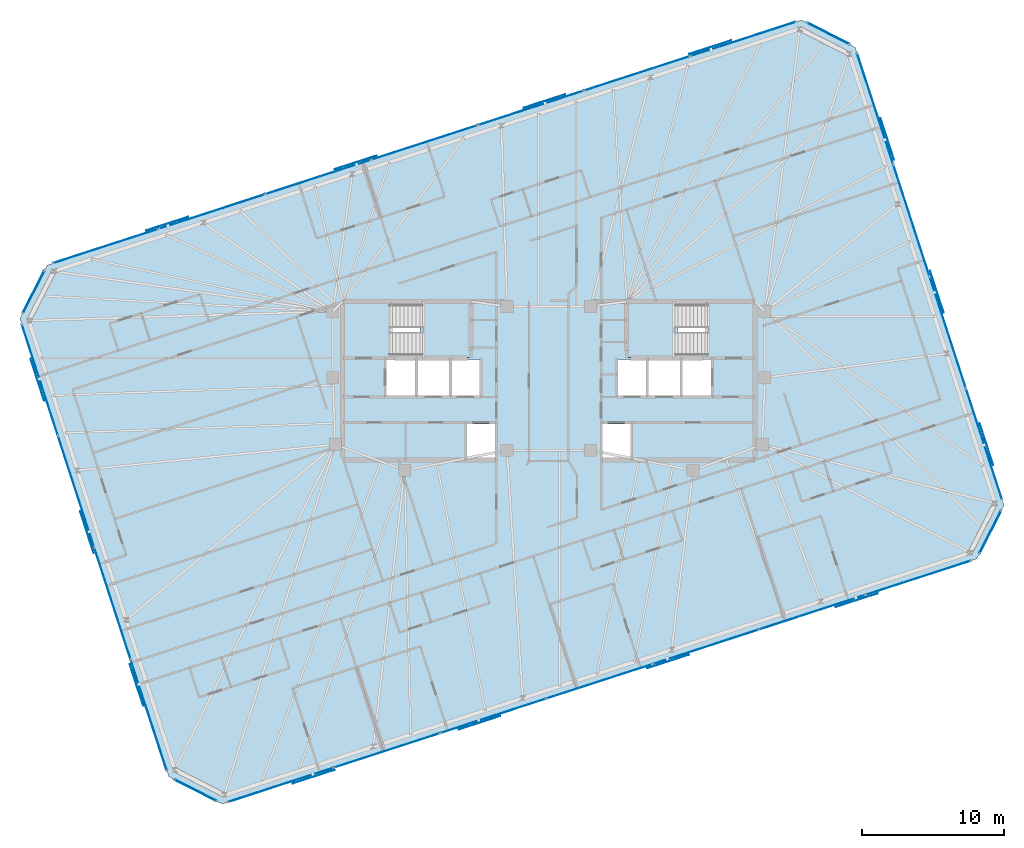
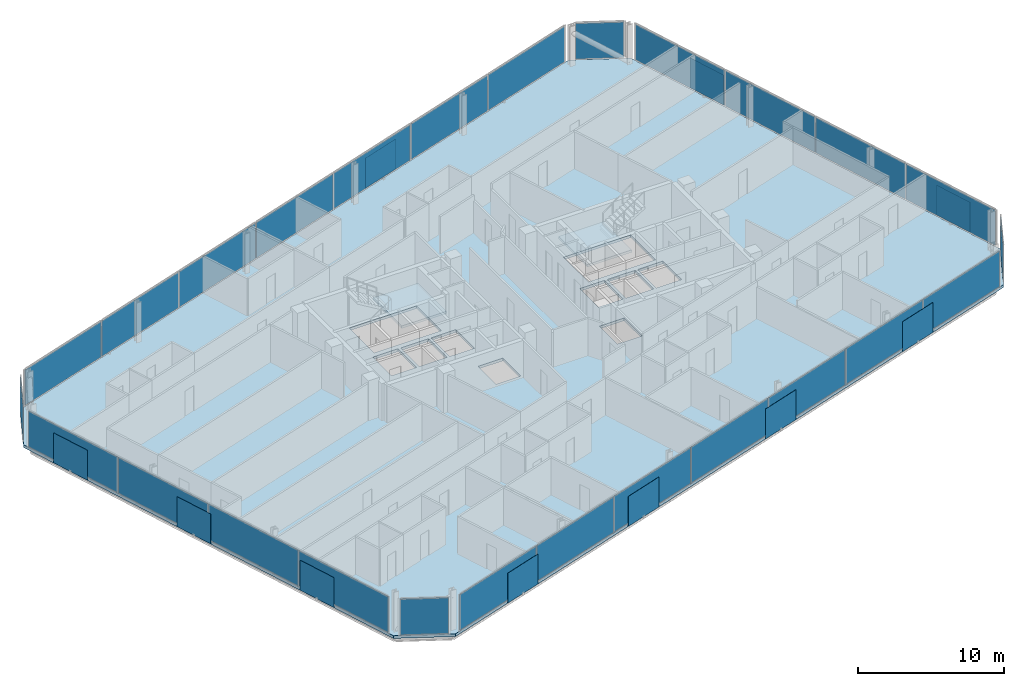
# One storey, part 12 of 19: 40 plates, 3 slabs, 10 elements without a shape of their own.
"""IFC4 building model written with IfcOpenShell, lengths in metres."""

import ifcopenshell
import ifcopenshell.guid

model = None  # the IFC model being written
_history = None  # IfcOwnerHistory: only IFC2X3 demands one
_inside = {}  # id of a spatial element -> (the spatial element, [elements in it])
_under = {}  # id of a project, library or spatial element -> (it, [spatial elements below it])
_declared = {}  # id of a project -> (the project, [libraries it declares])
_typed = {}  # id of a type object -> (the type object, [elements of that type])
_made_of = {}  # id of a material, layer set ... -> (it, [elements and type objects made of it])


def new_model(schema):
    """Start an empty IFC model of exactly this schema.

    Asked for "IFC4X3", IfcOpenShell would pick the latest addendum, in which some entities
    have other attributes; the version numbers below select the first issue.
    IFC2X3 requires an IfcOwnerHistory on every rooted entity: one is made here for all.
    """
    global model, _history
    if schema == "IFC4X3":
        model = ifcopenshell.file(schema_version=(4, 3, 0, 0))
    else:
        model = ifcopenshell.file(schema=schema)
    _inside.clear()
    _under.clear()
    _declared.clear()
    _typed.clear()
    _made_of.clear()
    _history = None
    if model.schema == "IFC2X3":
        org = make("IfcOrganization", Name="unknown")
        user = make(
            "IfcPersonAndOrganization",
            ThePerson=make("IfcPerson", FamilyName="unknown"),
            TheOrganization=org,
        )
        app = make(
            "IfcApplication",
            ApplicationDeveloper=org,
            Version="unknown",
            ApplicationFullName="unknown",
            ApplicationIdentifier="unknown",
        )
        _history = make(
            "IfcOwnerHistory",
            OwningUser=user,
            OwningApplication=app,
            ChangeAction="ADDED",
            CreationDate=0,
        )
    return model


def make(cls, **values):
    """One entity of the class cls with the attributes given. An attribute that is None is left unset."""
    return model.create_entity(
        cls, **{name: value for name, value in values.items() if value is not None}
    )


def rooted(cls, **values):
    """An entity with a GlobalId (a new one), such as an element, a storey or a relation."""
    return make(cls, GlobalId=ifcopenshell.guid.new(), OwnerHistory=_history, **values)


def si_unit(unit_type, name, prefix=None):
    """IfcSIUnit, for example si_unit("LENGTHUNIT", "METRE", prefix="MILLI")."""
    return make("IfcSIUnit", UnitType=unit_type, Prefix=prefix, Name=name)


def assignment(units):
    """IfcUnitAssignment: the units of a project."""
    return None if units is None else make("IfcUnitAssignment", Units=units)


def point(xyz):
    """IfcCartesianPoint."""
    return None if xyz is None else make("IfcCartesianPoint", Coordinates=xyz)


def direction(xyz):
    """IfcDirection."""
    return None if xyz is None else make("IfcDirection", DirectionRatios=xyz)


def frame(location, z_axis=None, x_axis=None):
    """IfcAxis2Placement3D, a coordinate frame: its origin and axes. An axis left out is left unset."""
    return make(
        "IfcAxis2Placement3D",
        Location=point(location),
        Axis=direction(z_axis),
        RefDirection=direction(x_axis),
    )


def frame_2d(location, x_axis=None):
    """IfcAxis2Placement2D, a coordinate frame in the plane: its origin and x axis."""
    return make(
        "IfcAxis2Placement2D", Location=point(location), RefDirection=direction(x_axis)
    )


def origin():
    """The frame at (0, 0, 0) with its axes left unset."""
    return frame((0.0, 0.0, 0.0))


def origin_2d():
    """The frame at (0, 0) in the plane with its x axis left unset."""
    return frame_2d((0.0, 0.0))


def place(relative_to, where):
    """IfcLocalPlacement: puts the frame where relative to a parent placement (None: the world)."""
    return make(
        "IfcLocalPlacement", PlacementRelTo=relative_to, RelativePlacement=where
    )


def context(
    kind, dimensions, precision=None, world=None, true_north=None, identifier=None
):
    """IfcGeometricRepresentationContext, for example the 3D "Model" context."""
    return make(
        "IfcGeometricRepresentationContext",
        ContextIdentifier=identifier,
        ContextType=kind,
        CoordinateSpaceDimension=dimensions,
        Precision=precision,
        WorldCoordinateSystem=world,
        TrueNorth=true_north,
    )


def subcontext(parent, identifier, kind, view, scale=None):
    """IfcGeometricRepresentationSubContext, for example "Body" below "Model"."""
    return make(
        "IfcGeometricRepresentationSubContext",
        ContextIdentifier=identifier,
        ContextType=kind,
        ParentContext=parent,
        TargetScale=scale,
        TargetView=view,
    )


def project(units=None, contexts=None):
    """IfcProject with its units and contexts."""
    return rooted(
        "IfcProject",
        Name="project",
        RepresentationContexts=contexts,
        UnitsInContext=assignment(units),
    )


def spatial(cls, under=None, at=None, **own):
    """A site, building, storey or space (cls), placed at a placement, below another one or the project."""
    s = rooted(cls, ObjectPlacement=at, **own)
    if under is not None:
        _under.setdefault(under.id(), (under, []))[1].append(s)
    return s


def polyline(points):
    """IfcPolyline through the points."""
    return make("IfcPolyline", Points=[point(p) for p in points])


def profile(cls, at=None, kind="AREA", **sizes):
    """A parametric profile (cls). Its sizes go by their IFC names, for example OverallWidth=200.0."""
    return make(cls, ProfileType=kind, Position=at, **sizes)


def rectangle(**sizes):
    """IfcRectangleProfileDef."""
    return profile("IfcRectangleProfileDef", **sizes)


def outline(outer, holes=None, kind="AREA"):
    """IfcArbitraryClosedProfileDef: a profile drawn as a closed curve; with holes, ...WithVoids."""
    if holes is None:
        return make("IfcArbitraryClosedProfileDef", ProfileType=kind, OuterCurve=outer)
    return make(
        "IfcArbitraryProfileDefWithVoids",
        ProfileType=kind,
        OuterCurve=outer,
        InnerCurves=holes,
    )


def extrude(swept, where, along, depth):
    """IfcExtrudedAreaSolid: the profile swept, set in the frame where, extruded along a direction by depth."""
    return make(
        "IfcExtrudedAreaSolid",
        SweptArea=swept,
        Position=where,
        ExtrudedDirection=direction(along),
        Depth=depth,
    )


def shape(context_of_items, identifier, shape_type, items):
    """IfcShapeRepresentation: the items that make up one representation, for example the "Body"."""
    return make(
        "IfcShapeRepresentation",
        ContextOfItems=context_of_items,
        RepresentationIdentifier=identifier,
        RepresentationType=shape_type,
        Items=items,
    )


def material(Name=None, Category=None):
    """IfcMaterial."""
    return make("IfcMaterial", Name=Name, Category=Category)


def layer(
    of_material, thickness, ventilated=None, Name=None, Category=None, Priority=None
):
    """IfcMaterialLayer: one layer of a wall or slab, of a material (None: an air gap)."""
    return make(
        "IfcMaterialLayer",
        Material=of_material,
        LayerThickness=thickness,
        IsVentilated=ventilated,
        Name=Name,
        Category=Category,
        Priority=Priority,
    )


def layer_set(layers, Name=None):
    """IfcMaterialLayerSet."""
    return make("IfcMaterialLayerSet", MaterialLayers=layers, LayerSetName=Name)


def made_of(thing, what):
    """Note that an element or type object is made of a material, layer set ...; save() writes the relation."""
    if what is not None:
        _made_of.setdefault(what.id(), (what, []))[1].append(thing)
    return thing


def type_object(cls, material=None, **own):
    """A type object (cls), such as IfcWallType, which elements share."""
    return made_of(rooted(cls, **own), material)


def element(
    cls,
    number,
    at=None,
    inside=None,
    cuts=None,
    type_object=None,
    material=None,
    context=None,
    identifier="Body",
    shape_type=None,
    held_by="IfcProductDefinitionShape",
    body=None,
    shapes=None,
    **own,
):
    """One element of the class cls, such as IfcWall. Its Tag is "e" and its number.

    at: its placement. inside: the storey or other place that contains it. cuts: it is an
    opening in that element (IfcRelVoidsElement). A single representation is given by context,
    identifier, shape_type and body (its items); several are given by shapes. held_by: the class
    of the entity that holds the representations. save() writes the other relations.
    """
    e = rooted(cls, Tag="e%d" % number, ObjectPlacement=at, **own)
    if body is not None:
        shapes = [shape(context, identifier, shape_type, body)]
    if shapes is not None:
        e.Representation = make(held_by, Representations=shapes)
    if inside is not None:
        _inside.setdefault(inside.id(), (inside, []))[1].append(e)
    if cuts is not None:
        rooted(
            "IfcRelVoidsElement", RelatingBuildingElement=cuts, RelatedOpeningElement=e
        )
    if type_object is not None:
        _typed.setdefault(type_object.id(), (type_object, []))[1].append(e)
    return made_of(e, material)


def aggregate(whole, parts):
    """IfcRelAggregates: a whole, such as a stair, and the parts it consists of."""
    return rooted("IfcRelAggregates", RelatingObject=whole, RelatedObjects=parts)


def save(model, path):
    """Write the relations noted so far, then the file.

    IfcRelAggregates (storeys below a building ...), IfcRelContainedInSpatialStructure (elements
    in a storey), IfcRelDefinesByType, IfcRelAssociatesMaterial and IfcRelDeclares: one each for
    every whole, place, type object, material and project.
    """
    for whole, parts in _under.values():
        aggregate(whole, parts)
    for where, things in _inside.values():
        rooted(
            "IfcRelContainedInSpatialStructure",
            RelatedElements=things,
            RelatingStructure=where,
        )
    for kind, things in _typed.values():
        rooted("IfcRelDefinesByType", RelatedObjects=things, RelatingType=kind)
    for what, things in _made_of.values():
        rooted("IfcRelAssociatesMaterial", RelatedObjects=things, RelatingMaterial=what)
    for by, libraries in _declared.values():
        rooted("IfcRelDeclares", RelatingContext=by, RelatedDefinitions=libraries)
    model.write(path)


model = new_model("IFC4")

# Units and contexts
model_context = context("Model", 3, precision=1e-05, world=origin(), true_north=direction((0.0, 1.0)))
body_context = subcontext(model_context, "Body", "Model", "MODEL_VIEW")
ifc_project = project(units=[si_unit("LENGTHUNIT", "METRE"), si_unit("AREAUNIT", "SQUARE_METRE"), si_unit("VOLUMEUNIT", "CUBIC_METRE"), si_unit("PLANEANGLEUNIT", "RADIAN"), si_unit("MASSUNIT", "GRAM", prefix="KILO")], contexts=[model_context])

# Site, building, storey
site_placement = place(None, origin())
site = spatial("IfcSite", under=ifc_project, at=site_placement, CompositionType="ELEMENT")
building_placement = place(site_placement, origin())
building = spatial("IfcBuilding", under=site, at=building_placement, Name="Menara Jurai Vektor", CompositionType="ELEMENT")
storey_placement = place(building_placement, frame((0.0, 0.0, 220.949951171875)))
storey = spatial("IfcBuildingStorey", under=building, at=storey_placement, Name="L58", CompositionType="ELEMENT", Elevation=220.949951171875)

# Curtain wall, plates
ifc_material_1 = material(Name="Anodised Pale Aluminium & Low-E Double Glazing", Category="aluminium")
curtain_wall_type = type_object("IfcCurtainWallType", Name="CW-BLK4", PredefinedType="NOTDEFINED", material=ifc_material_1)
curtain_wall_1_placement = place(storey_placement, origin())
curtain_wall_1 = element("IfcCurtainWall", 1, at=curtain_wall_1_placement, inside=storey, type_object=curtain_wall_type, Name="Unitised Curtain Wall L58 F01", PredefinedType="NOTDEFINED")
ifc_material_2 = material(Name="Low-E Solar-Control Double Glazed Unit", Category="glass")
ifc_layer_1 = layer(ifc_material_2, 0.030029296875)
ifc_layer_set_1 = layer_set([ifc_layer_1], Name="Low-E Solar-Control Double Glazed Unit")
plate_type_1 = type_object("IfcPlateType", Name="CW-BLK4-PNL", PredefinedType="CURTAIN_PANEL", material=ifc_layer_set_1)
plate_1_placement = place(storey_placement, frame((-18.916259765625, -28.53076171875, 0.080078125), z_axis=(0.0, 0.0, 1.0), x_axis=(0.951056402641, 0.309017344167, 0.0)))
plate_1 = element("IfcPlate", 2, at=plate_1_placement, type_object=plate_type_1, Name="CW-04 panel 1.1", PredefinedType="CURTAIN_PANEL", context=body_context, shape_type="SweptSolid", body=[
    extrude(rectangle(XDim=7.771484375, YDim=0.030029296875, at=origin_2d()), origin(), (0.0, 0.0, 1.0), 2.965087890625),
])
plate_2_placement = place(storey_placement, frame((-11.429931640625, -26.098388671875, 0.080078125), z_axis=(0.0, 0.0, 1.0), x_axis=(0.951056402641, 0.309017344167, 0.0)))
plate_2 = element("IfcPlate", 3, at=plate_2_placement, type_object=plate_type_1, Name="CW-04 panel 2.1", PredefinedType="CURTAIN_PANEL", context=body_context, shape_type="SweptSolid", body=[
    extrude(rectangle(XDim=7.8115234375, YDim=0.030029296875, at=origin_2d()), origin(), (0.0, 0.0, 1.0), 2.965087890625),
])
plate_3_placement = place(storey_placement, frame((-3.9248046875, -23.65966796875, 0.080078125), z_axis=(0.0, 0.0, 1.0), x_axis=(0.951056402641, 0.309017344167, 0.0)))
plate_3 = element("IfcPlate", 4, at=plate_3_placement, type_object=plate_type_1, Name="CW-04 panel 3.1", PredefinedType="CURTAIN_PANEL", context=body_context, shape_type="SweptSolid", body=[
    extrude(rectangle(XDim=7.8115234375, YDim=0.030029296875, at=origin_2d()), origin(), (0.0, 0.0, 1.0), 2.965087890625),
])
plate_4_placement = place(storey_placement, frame((3.580322265625, -21.22119140625, 0.080078125), z_axis=(0.0, 0.0, 1.0), x_axis=(0.951056402641, 0.309017344167, 0.0)))
plate_4 = element("IfcPlate", 5, at=plate_4_placement, type_object=plate_type_1, Name="CW-04 panel 4.1", PredefinedType="CURTAIN_PANEL", context=body_context, shape_type="SweptSolid", body=[
    extrude(rectangle(XDim=7.8115234375, YDim=0.030029296875, at=origin_2d()), origin(), (0.0, 0.0, 1.0), 2.965087890625),
])
plate_5_placement = place(storey_placement, frame((11.08544921875, -18.782470703125, 0.080078125), z_axis=(0.0, 0.0, 1.0), x_axis=(0.951056402641, 0.309017344167, 0.0)))
plate_5 = element("IfcPlate", 6, at=plate_5_placement, type_object=plate_type_1, Name="CW-04 panel 5.1", PredefinedType="CURTAIN_PANEL", context=body_context, shape_type="SweptSolid", body=[
    extrude(rectangle(XDim=7.8115234375, YDim=0.030029296875, at=origin_2d()), origin(), (0.0, 0.0, 1.0), 2.965087890625),
])
plate_6_placement = place(storey_placement, frame((18.5908203125, -16.343994140625, 0.080078125), z_axis=(0.0, 0.0, 1.0), x_axis=(0.951056402641, 0.309017344167, 0.0)))
plate_6 = element("IfcPlate", 7, at=plate_6_placement, type_object=plate_type_1, Name="CW-04 panel 6.1", PredefinedType="CURTAIN_PANEL", context=body_context, shape_type="SweptSolid", body=[
    extrude(rectangle(XDim=7.8115234375, YDim=0.030029296875, at=origin_2d()), origin(), (0.0, 0.0, 1.0), 2.965087890625),
])
plate_7_placement = place(storey_placement, frame((26.076904296875, -13.91162109375, 0.080078125), z_axis=(0.0, 0.0, 1.0), x_axis=(0.951056402641, 0.309017344167, 0.0)))
plate_7 = element("IfcPlate", 8, at=plate_7_placement, type_object=plate_type_1, Name="CW-04 panel 7.1", PredefinedType="CURTAIN_PANEL", context=body_context, shape_type="SweptSolid", body=[
    extrude(rectangle(XDim=7.771484375, YDim=0.030029296875, at=origin_2d()), origin(), (0.0, 0.0, 1.0), 2.965087890625),
])
aggregate(curtain_wall_1, [plate_1, plate_2, plate_3, plate_4, plate_5, plate_6, plate_7])

curtain_wall_2_placement = place(storey_placement, origin())
curtain_wall_2 = element("IfcCurtainWall", 9, at=curtain_wall_2_placement, inside=storey, type_object=curtain_wall_type, Name="Unitised Curtain Wall L58 F03", PredefinedType="NOTDEFINED")
plate_8_placement = place(storey_placement, frame((30.728515625, -4.456298828125, 0.080078125), z_axis=(0.0, 0.0, 1.0), x_axis=(-0.309016481464, 0.95105668295, 0.0)))
plate_8 = element("IfcPlate", 10, at=plate_8_placement, type_object=plate_type_1, Name="CW-04 panel 1.1", PredefinedType="CURTAIN_PANEL", context=body_context, shape_type="SweptSolid", body=[
    extrude(rectangle(XDim=8.18994140625, YDim=0.030029296875, at=origin_2d()), origin(), (0.0, 0.0, 1.0), 2.965087890625),
])
plate_9_placement = place(storey_placement, frame((28.166748046875, 3.427978515625, 0.080078125), z_axis=(0.0, 0.0, 1.0), x_axis=(-0.309016481464, 0.95105668295, 0.0)))
plate_9 = element("IfcPlate", 11, at=plate_9_placement, type_object=plate_type_1, Name="CW-04 panel 2.1", PredefinedType="CURTAIN_PANEL", context=body_context, shape_type="SweptSolid", body=[
    extrude(rectangle(XDim=8.22998046875, YDim=0.030029296875, at=origin_2d()), origin(), (0.0, 0.0, 1.0), 2.965087890625),
])
plate_10_placement = place(storey_placement, frame((25.598876953125, 11.331298828125, 0.080078125), z_axis=(0.0, 0.0, 1.0), x_axis=(-0.309016481464, 0.95105668295, 0.0)))
plate_10 = element("IfcPlate", 12, at=plate_10_placement, type_object=plate_type_1, Name="CW-04 panel 3.1", PredefinedType="CURTAIN_PANEL", context=body_context, shape_type="SweptSolid", body=[
    extrude(rectangle(XDim=8.22998046875, YDim=0.030029296875, at=origin_2d()), origin(), (0.0, 0.0, 1.0), 2.965087890625),
])
plate_11_placement = place(storey_placement, frame((23.037109375, 19.21533203125, 0.080078125), z_axis=(0.0, 0.0, 1.0), x_axis=(-0.309016481464, 0.95105668295, 0.0)))
plate_11 = element("IfcPlate", 13, at=plate_11_placement, type_object=plate_type_1, Name="CW-04 panel 4.1", PredefinedType="CURTAIN_PANEL", context=body_context, shape_type="SweptSolid", body=[
    extrude(rectangle(XDim=8.18994140625, YDim=0.030029296875, at=origin_2d()), origin(), (0.0, 0.0, 1.0), 2.965087890625),
])
aggregate(curtain_wall_2, [plate_8, plate_9, plate_10, plate_11])

curtain_wall_3_placement = place(storey_placement, origin())
curtain_wall_3 = element("IfcCurtainWall", 14, at=curtain_wall_3_placement, inside=storey, type_object=curtain_wall_type, Name="Unitised Curtain Wall L58 F05", PredefinedType="NOTDEFINED")
plate_12_placement = place(storey_placement, frame((13.716064453125, 24.130615234375, 0.080078125), z_axis=(0.0, 0.0, 1.0), x_axis=(-0.951056402641, -0.309017344167, 0.0)))
plate_12 = element("IfcPlate", 15, at=plate_12_placement, type_object=plate_type_1, Name="CW-04 panel 1.1", PredefinedType="CURTAIN_PANEL", context=body_context, shape_type="SweptSolid", body=[
    extrude(rectangle(XDim=7.771484375, YDim=0.030029296875, at=origin_2d()), origin(), (0.0, 0.0, 1.0), 2.965087890625),
])
plate_13_placement = place(storey_placement, frame((6.22998046875, 21.6982421875, 0.080078125), z_axis=(0.0, 0.0, 1.0), x_axis=(-0.951056402641, -0.309017344167, 0.0)))
plate_13 = element("IfcPlate", 16, at=plate_13_placement, type_object=plate_type_1, Name="CW-04 panel 2.1", PredefinedType="CURTAIN_PANEL", context=body_context, shape_type="SweptSolid", body=[
    extrude(rectangle(XDim=7.8115234375, YDim=0.030029296875, at=origin_2d()), origin(), (0.0, 0.0, 1.0), 2.965087890625),
])
plate_14_placement = place(storey_placement, frame((-1.275146484375, 19.259765625, 0.080078125), z_axis=(0.0, 0.0, 1.0), x_axis=(-0.951056402641, -0.309017344167, 0.0)))
plate_14 = element("IfcPlate", 17, at=plate_14_placement, type_object=plate_type_1, Name="CW-04 panel 3.1", PredefinedType="CURTAIN_PANEL", context=body_context, shape_type="SweptSolid", body=[
    extrude(rectangle(XDim=7.8115234375, YDim=0.030029296875, at=origin_2d()), origin(), (0.0, 0.0, 1.0), 2.965087890625),
])
plate_15_placement = place(storey_placement, frame((-8.7802734375, 16.821044921875, 0.080078125), z_axis=(0.0, 0.0, 1.0), x_axis=(-0.951056402641, -0.309017344167, 0.0)))
plate_15 = element("IfcPlate", 18, at=plate_15_placement, type_object=plate_type_1, Name="CW-04 panel 4.1", PredefinedType="CURTAIN_PANEL", context=body_context, shape_type="SweptSolid", body=[
    extrude(rectangle(XDim=7.8115234375, YDim=0.030029296875, at=origin_2d()), origin(), (0.0, 0.0, 1.0), 2.965087890625),
])
plate_16_placement = place(storey_placement, frame((-16.28564453125, 14.382568359375, 0.080078125), z_axis=(0.0, 0.0, 1.0), x_axis=(-0.951056402641, -0.309017344167, 0.0)))
plate_16 = element("IfcPlate", 19, at=plate_16_placement, type_object=plate_type_1, Name="CW-04 panel 5.1", PredefinedType="CURTAIN_PANEL", context=body_context, shape_type="SweptSolid", body=[
    extrude(rectangle(XDim=7.8115234375, YDim=0.030029296875, at=origin_2d()), origin(), (0.0, 0.0, 1.0), 2.965087890625),
])
plate_17_placement = place(storey_placement, frame((-23.790771484375, 11.944091796875, 0.080078125), z_axis=(0.0, 0.0, 1.0), x_axis=(-0.951056402641, -0.309017344167, 0.0)))
plate_17 = element("IfcPlate", 20, at=plate_17_placement, type_object=plate_type_1, Name="CW-04 panel 6.1", PredefinedType="CURTAIN_PANEL", context=body_context, shape_type="SweptSolid", body=[
    extrude(rectangle(XDim=7.8115234375, YDim=0.030029296875, at=origin_2d()), origin(), (0.0, 0.0, 1.0), 2.965087890625),
])
plate_18_placement = place(storey_placement, frame((-31.27685546875, 9.511474609375, 0.080078125), z_axis=(0.0, 0.0, 1.0), x_axis=(-0.951056402641, -0.309017344167, 0.0)))
plate_18 = element("IfcPlate", 21, at=plate_18_placement, type_object=plate_type_1, Name="CW-04 panel 7.1", PredefinedType="CURTAIN_PANEL", context=body_context, shape_type="SweptSolid", body=[
    extrude(rectangle(XDim=7.771484375, YDim=0.030029296875, at=origin_2d()), origin(), (0.0, 0.0, 1.0), 2.965087890625),
])
aggregate(curtain_wall_3, [plate_12, plate_13, plate_14, plate_15, plate_16, plate_17, plate_18])

curtain_wall_4_placement = place(storey_placement, origin())
curtain_wall_4 = element("IfcCurtainWall", 22, at=curtain_wall_4_placement, inside=storey, type_object=curtain_wall_type, Name="Unitised Curtain Wall L58 F07", PredefinedType="NOTDEFINED")
plate_19_placement = place(storey_placement, frame((-35.928466796875, 0.056396484375, 0.080078125), z_axis=(0.0, 0.0, 1.0), x_axis=(0.309016481464, -0.95105668295, 0.0)))
plate_19 = element("IfcPlate", 23, at=plate_19_placement, type_object=plate_type_1, Name="CW-04 panel 1.1", PredefinedType="CURTAIN_PANEL", context=body_context, shape_type="SweptSolid", body=[
    extrude(rectangle(XDim=8.18994140625, YDim=0.030029296875, at=origin_2d()), origin(), (0.0, 0.0, 1.0), 2.965087890625),
])
plate_20_placement = place(storey_placement, frame((-33.36669921875, -7.827880859375, 0.080078125), z_axis=(0.0, 0.0, 1.0), x_axis=(0.309016481464, -0.95105668295, 0.0)))
plate_20 = element("IfcPlate", 24, at=plate_20_placement, type_object=plate_type_1, Name="CW-04 panel 2.1", PredefinedType="CURTAIN_PANEL", context=body_context, shape_type="SweptSolid", body=[
    extrude(rectangle(XDim=8.22998046875, YDim=0.030029296875, at=origin_2d()), origin(), (0.0, 0.0, 1.0), 2.965087890625),
])
plate_21_placement = place(storey_placement, frame((-30.798828125, -15.731201171875, 0.080078125), z_axis=(0.0, 0.0, 1.0), x_axis=(0.309016481464, -0.95105668295, 0.0)))
plate_21 = element("IfcPlate", 25, at=plate_21_placement, type_object=plate_type_1, Name="CW-04 panel 3.1", PredefinedType="CURTAIN_PANEL", context=body_context, shape_type="SweptSolid", body=[
    extrude(rectangle(XDim=8.22998046875, YDim=0.030029296875, at=origin_2d()), origin(), (0.0, 0.0, 1.0), 2.965087890625),
])
plate_22_placement = place(storey_placement, frame((-28.237060546875, -23.615478515625, 0.080078125), z_axis=(0.0, 0.0, 1.0), x_axis=(0.309016481464, -0.95105668295, 0.0)))
plate_22 = element("IfcPlate", 26, at=plate_22_placement, type_object=plate_type_1, Name="CW-04 panel 4.1", PredefinedType="CURTAIN_PANEL", context=body_context, shape_type="SweptSolid", body=[
    extrude(rectangle(XDim=8.18994140625, YDim=0.030029296875, at=origin_2d()), origin(), (0.0, 0.0, 1.0), 2.965087890625),
])
aggregate(curtain_wall_4, [plate_19, plate_20, plate_21, plate_22])

# Curtain wall, plate
curtain_wall_5_placement = place(storey_placement, origin())
curtain_wall_5 = element("IfcCurtainWall", 27, at=curtain_wall_5_placement, inside=storey, type_object=curtain_wall_type, Name="Unitised Curtain Wall L58 F02", PredefinedType="NOTDEFINED")
ifc_material_3 = material(Name="Insulated Pale Aluminium Spandrel Panel", Category="aluminium")
ifc_layer_2 = layer(ifc_material_3, 0.06005859375)
ifc_layer_set_2 = layer_set([ifc_layer_2], Name="Insulated Pale Aluminium Spandrel Panel")
plate_type_2 = type_object("IfcPlateType", Name="CW-PNL-SP", PredefinedType="CURTAIN_PANEL", material=ifc_layer_set_2)
plate_23_placement = place(storey_placement, frame((31.1728515625, -10.678466796875, 0.080078125), z_axis=(0.0, 0.0, 1.0), x_axis=(0.453988579828, 0.89100750243, 0.0)))
plate_23 = element("IfcPlate", 28, at=plate_23_placement, type_object=plate_type_2, Name="CW-04 panel 1.1", PredefinedType="CURTAIN_PANEL", context=body_context, shape_type="SweptSolid", body=[
    extrude(rectangle(XDim=3.32275390625, YDim=0.06005859375, at=origin_2d()), origin(), (0.0, 0.0, 1.0), 2.965087890625),
])
aggregate(curtain_wall_5, [plate_23])

curtain_wall_6_placement = place(storey_placement, origin())
curtain_wall_6 = element("IfcCurtainWall", 29, at=curtain_wall_6_placement, inside=storey, type_object=curtain_wall_type, Name="Unitised Curtain Wall L58 F04", PredefinedType="NOTDEFINED")
plate_24_placement = place(storey_placement, frame((19.7392578125, 24.510498046875, 0.080078125), z_axis=(0.0, 0.0, 1.0), x_axis=(-0.89100750243, 0.453988579828, 0.0)))
plate_24 = element("IfcPlate", 30, at=plate_24_placement, type_object=plate_type_2, Name="CW-04 panel 1.1", PredefinedType="CURTAIN_PANEL", context=body_context, shape_type="SweptSolid", body=[
    extrude(rectangle(XDim=3.32275390625, YDim=0.06005859375, at=origin_2d()), origin(), (0.0, 0.0, 1.0), 2.965087890625),
])
aggregate(curtain_wall_6, [plate_24])

curtain_wall_7_placement = place(storey_placement, origin())
curtain_wall_7 = element("IfcCurtainWall", 31, at=curtain_wall_7_placement, inside=storey, type_object=curtain_wall_type, Name="Unitised Curtain Wall L58 F06", PredefinedType="NOTDEFINED")
plate_25_placement = place(storey_placement, frame((-36.373046875, 6.278564453125, 0.080078125), z_axis=(0.0, 0.0, 1.0), x_axis=(-0.453988579828, -0.89100750243, 0.0)))
plate_25 = element("IfcPlate", 32, at=plate_25_placement, type_object=plate_type_2, Name="CW-04 panel 1.1", PredefinedType="CURTAIN_PANEL", context=body_context, shape_type="SweptSolid", body=[
    extrude(rectangle(XDim=3.32275390625, YDim=0.06005859375, at=origin_2d()), origin(), (0.0, 0.0, 1.0), 2.965087890625),
])
aggregate(curtain_wall_7, [plate_25])

curtain_wall_8_placement = place(storey_placement, origin())
curtain_wall_8 = element("IfcCurtainWall", 33, at=curtain_wall_8_placement, inside=storey, type_object=curtain_wall_type, Name="Unitised Curtain Wall L58 F08", PredefinedType="NOTDEFINED")
plate_26_placement = place(storey_placement, frame((-24.939453125, -28.91064453125, 0.080078125), z_axis=(0.0, 0.0, 1.0), x_axis=(0.89100750243, -0.453988579828, 0.0)))
plate_26 = element("IfcPlate", 34, at=plate_26_placement, type_object=plate_type_2, Name="CW-04 panel 1.1", PredefinedType="CURTAIN_PANEL", context=body_context, shape_type="SweptSolid", body=[
    extrude(rectangle(XDim=3.32275390625, YDim=0.06005859375, at=origin_2d()), origin(), (0.0, 0.0, 1.0), 2.965087890625),
])
aggregate(curtain_wall_8, [plate_26])

# Plates
ifc_material_4 = material(Name="Anodised Pale Aluminium Perforated Screen", Category="aluminium")
ifc_layer_3 = layer(ifc_material_4, 0.02197265625)
ifc_layer_set_3 = layer_set([ifc_layer_3], Name="Anodised Pale Aluminium Perforated Screen")
plate_type_3 = type_object("IfcPlateType", Name="ENV-PLT-SCREEN-HI", PredefinedType="USERDEFINED", material=ifc_layer_set_3)
for number, where, z_axis, x_axis, name in (
    (35, (-16.608642578125, -27.94921875, -0.050048828125), (0.0, 0.0, 1.0), (0.951056516295, 0.309016994375, 0.0), "Perforated Pale-Metal Solar Screen L58-S01"),
    (36, (-4.8916015625, -24.14208984375, -0.050048828125), (0.0, 0.0, 1.0), (0.951056516295, 0.309016994375, 0.0), "Perforated Pale-Metal Solar Screen L58-S02"),
    (37, (8.423095703125, -19.81591796875, -0.050048828125), (0.0, 0.0, 1.0), (0.951056516295, 0.309016994375, 0.0), "Perforated Pale-Metal Solar Screen L58-S03"),
    (38, (21.73779296875, -15.48974609375, -0.050048828125), (0.0, 0.0, 1.0), (0.951056516295, 0.309016994375, 0.0), "Perforated Pale-Metal Solar Screen L58-S04"),
    (39, (30.90478515625, -4.4814453125, -0.050048828125), (0.0, 0.0, 1.0), (-0.309016994375, 0.951056516295, 0.0), "Perforated Pale-Metal Solar Screen L58-S05"),
    (40, (27.402587890625, 6.297119140625, -0.050048828125), (0.0, 0.0, 1.0), (-0.309016994375, 0.951056516295, 0.0), "Perforated Pale-Metal Solar Screen L58-S06"),
    (41, (23.900390625, 17.075927734375, -0.050048828125), (0.0, 0.0, 1.0), (-0.309016994375, 0.951056516295, 0.0), "Perforated Pale-Metal Solar Screen L58-S07"),
    (42, (11.40869140625, 23.54931640625, -0.050048828125), (0.0, 0.0, 1.0), (-0.951056516295, -0.309016994375, 0.0), "Perforated Pale-Metal Solar Screen L58-S08"),
    (43, (-0.308349609375, 19.7421875, -0.050048828125), (0.0, 0.0, 1.0), (-0.951056516295, -0.309016994375, 0.0), "Perforated Pale-Metal Solar Screen L58-S09"),
    (44, (-13.623046875, 15.416015625, -0.050048828125), (0.0, 0.0, 1.0), (-0.951056516295, -0.309016994375, 0.0), "Perforated Pale-Metal Solar Screen L58-S10"),
    (45, (-26.93798828125, 11.089599609375, -0.050048828125), (0.0, 0.0, 1.0), (-0.951056516295, -0.309016994375, 0.0), "Perforated Pale-Metal Solar Screen L58-S11"),
    (46, (-36.104736328125, 0.081298828125, -0.050048828125), (0.0, 0.0, 1.0), (0.309016994375, -0.951056516295, 0.0), "Perforated Pale-Metal Solar Screen L58-S12"),
    (47, (-32.6025390625, -10.697265625, -0.050048828125), (0.0, 0.0, 1.0), (0.309016994375, -0.951056516295, 0.0), "Perforated Pale-Metal Solar Screen L58-S13"),
    (48, (-29.1005859375, -21.475830078125, -0.050048828125), (0.0, 0.0, 1.0), (0.309016994375, -0.951056516295, 0.0), "Perforated Pale-Metal Solar Screen L58-S14"),
):
    element("IfcPlate", number, at=place(storey_placement, frame(where, z_axis=z_axis, x_axis=x_axis)), inside=storey, type_object=plate_type_3, Name=name, ObjectType="SCREEN", PredefinedType="USERDEFINED", context=body_context, shape_type="SweptSolid", body=[
        extrude(rectangle(XDim=3.10009765625, YDim=0.02197265625, at=origin_2d()), origin(), (0.0, 0.0, 1.0), 2.5),
    ])

# Stair, slab
ifc_material_5 = material(Name="Concrete C40/50", Category="concrete")
stair_type = type_object("IfcStairType", Name="STAIR-DOGLEG-1500", PredefinedType="HALF_TURN_STAIR", material=ifc_material_5)
stair_1_placement = place(storey_placement, origin())
stair_1 = element("IfcStair", 49, at=stair_1_placement, inside=storey, type_object=stair_type, Name="Protected Exit Stair ST1 L58", PredefinedType="HALF_TURN_STAIR")
ifc_layer_4 = layer(ifc_material_5, 0.199951171875)
ifc_layer_set_4 = layer_set([ifc_layer_4], Name="Concrete C40/50")
slab_type_1 = type_object("IfcSlabType", Name="STAIR-LANDING-200", PredefinedType="LANDING", material=ifc_layer_set_4)
slab_1_placement = place(storey_placement, frame((0.0, 0.0, 1.47509765625)))
slab_1 = element("IfcSlab", 50, at=slab_1_placement, type_object=slab_type_1, Name="ST1 landing 1", PredefinedType="LANDING", context=body_context, shape_type="SweptSolid", body=[
    extrude(outline(polyline([(-9.080078125, 1.64990234375), (-5.550048828125, 1.64990234375), (-5.550048828125, 5.550048828125), (-9.080078125, 5.550048828125), (-9.080078125, 1.64990234375)])), origin(), (0.0, 0.0, 1.0), 0.199951171875),
])
aggregate(stair_1, [slab_1])

stair_2_placement = place(storey_placement, origin())
stair_2 = element("IfcStair", 51, at=stair_2_placement, inside=storey, type_object=stair_type, Name="Protected Exit Stair ST2 L58", PredefinedType="HALF_TURN_STAIR")
slab_2_placement = place(storey_placement, frame((0.0, 0.0, 1.47509765625)))
slab_2 = element("IfcSlab", 52, at=slab_2_placement, type_object=slab_type_1, Name="ST2 landing 1", PredefinedType="LANDING", context=body_context, shape_type="SweptSolid", body=[
    extrude(outline(polyline([(5.550048828125, 1.64990234375), (9.080078125, 1.64990234375), (9.080078125, 5.550048828125), (5.550048828125, 5.550048828125), (5.550048828125, 1.64990234375)])), origin(), (0.0, 0.0, 1.0), 0.199951171875),
])
aggregate(stair_2, [slab_2])

# Slab
ifc_layer_5 = layer(ifc_material_5, 0.22509765625)
ifc_layer_set_5 = layer_set([ifc_layer_5], Name="Concrete C40/50")
slab_type_2 = type_object("IfcSlabType", Name="STR-SLAB-TYP200", PredefinedType="FLOOR", material=ifc_layer_set_5)
slab_3_placement = place(storey_placement, frame((0.0, 0.0, -0.224853515625)))
element("IfcSlab", 53, at=slab_3_placement, inside=storey, type_object=slab_type_2, Name="Composite Floor Slab L58", PredefinedType="FLOOR", context=body_context, shape_type="SweptSolid", body=[
    extrude(outline(polyline([(-23.04931640625, -29.87353515625), (30.2099609375, -12.568603515625), (32.135986328125, -8.788330078125), (21.62939453125, 23.547607421875), (17.84912109375, 25.4736328125), (-35.409912109375, 8.168701171875), (-37.3359375, 4.388427734375), (-26.82958984375, -27.947509765625), (-23.04931640625, -29.87353515625)]), holes=[polyline([(-11.10009765625, 1.89990234375), (-11.10009765625, 5.300048828125), (-5.800048828125, 5.300048828125), (-5.800048828125, 1.89990234375), (-11.10009765625, 1.89990234375)]), polyline([(5.800048828125, 1.89990234375), (5.800048828125, 5.300048828125), (11.10009765625, 5.300048828125), (11.10009765625, 1.89990234375), (5.800048828125, 1.89990234375)]), polyline([(-11.449951171875, -1.050048828125), (-11.449951171875, 1.5), (-9.449951171875, 1.5), (-9.449951171875, -1.050048828125), (-11.449951171875, -1.050048828125)]), polyline([(9.449951171875, -1.050048828125), (9.449951171875, 1.5), (11.449951171875, 1.5), (11.449951171875, -1.050048828125), (9.449951171875, -1.050048828125)]), polyline([(-5.760009765625, -5.5), (-5.760009765625, -3.050048828125), (-3.800048828125, -3.050048828125), (-3.800048828125, -5.5), (-5.760009765625, -5.5)]), polyline([(-6.85009765625, -1.050048828125), (-6.85009765625, 1.5), (-4.889892578125, 1.5), (-4.889892578125, -1.050048828125), (-6.85009765625, -1.050048828125)]), polyline([(3.800048828125, -5.5), (3.800048828125, -3.050048828125), (5.760009765625, -3.050048828125), (5.760009765625, -5.5), (3.800048828125, -5.5)]), polyline([(4.889892578125, -1.050048828125), (4.889892578125, 1.5), (6.85009765625, 1.5), (6.85009765625, -1.050048828125), (4.889892578125, -1.050048828125)]), polyline([(-9.25, -1.050048828125), (-9.25, 1.5), (-7.050048828125, 1.5), (-7.050048828125, -1.050048828125), (-9.25, -1.050048828125)]), polyline([(7.050048828125, -1.050048828125), (7.050048828125, 1.5), (9.25, 1.5), (9.25, -1.050048828125), (7.050048828125, -1.050048828125)])]), origin(), (0.0, 0.0, 1.0), 0.224853515625),
])

save(model, "model.ifc")
